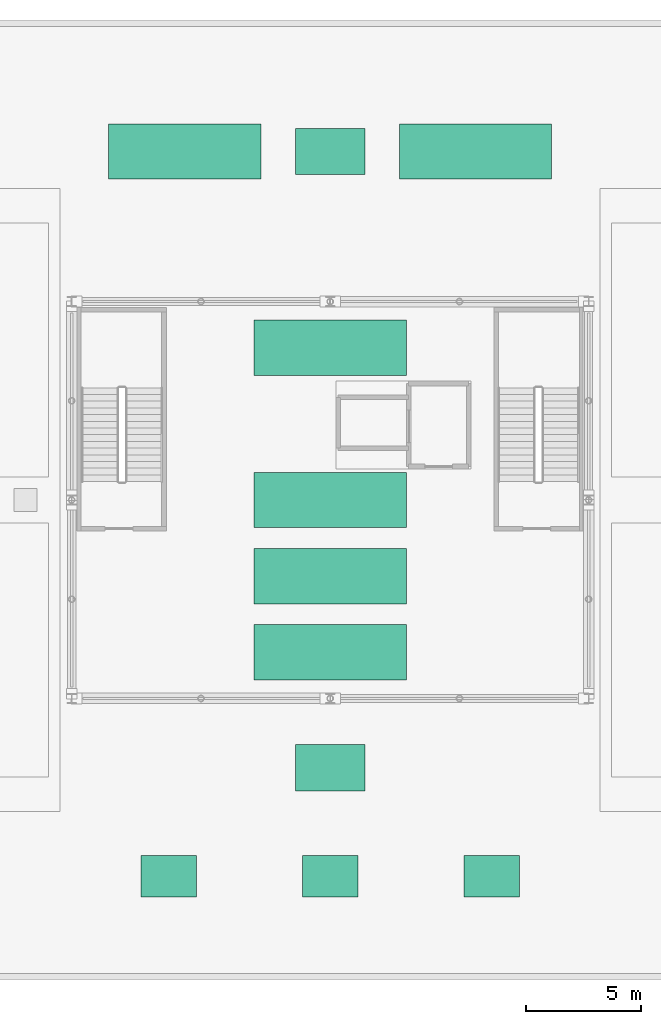
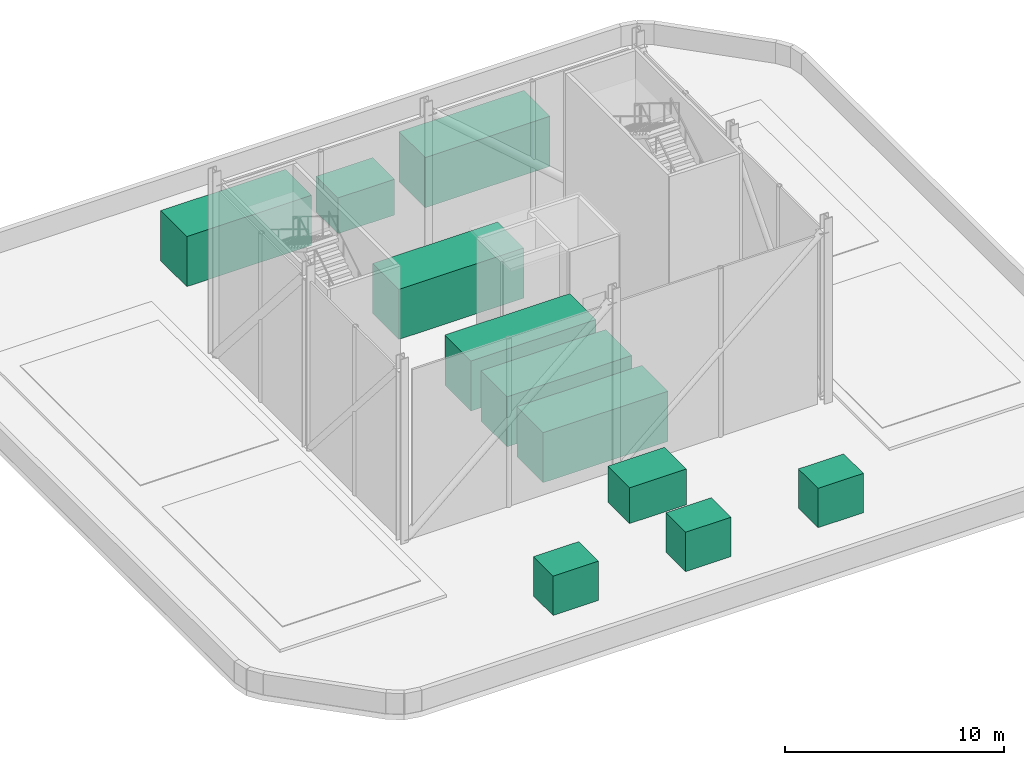
# One storey, part 6 of 6: 6 unitary equipment elements, 5 fans.
"""IFC4 building model written with IfcOpenShell, lengths in metres."""

from ifc_helpers import new_model, si_unit, derived_unit, direction, frame, origin, origin_2d, place, context, subcontext, project, spatial, rectangle, extrude, material, type_object, element, save


model = new_model("IFC4")

# Units and contexts
model_context = context("Model", 3, precision=1e-05, world=origin(), true_north=direction((0.0, 1.0)))
body_context = subcontext(model_context, "Body", "Model", "MODEL_VIEW")
ifc_project = project(units=[si_unit("LENGTHUNIT", "METRE"), si_unit("AREAUNIT", "SQUARE_METRE"), si_unit("VOLUMEUNIT", "CUBIC_METRE"), si_unit("PLANEANGLEUNIT", "RADIAN"), si_unit("MASSUNIT", "GRAM", prefix="KILO"), derived_unit("THERMALTRANSMITTANCEUNIT", [(si_unit("POWERUNIT", "WATT"), 1), (si_unit("LENGTHUNIT", "METRE"), -2), (si_unit("THERMODYNAMICTEMPERATUREUNIT", "KELVIN"), -1)])], contexts=[model_context])

# Site, building, storey
site_placement = place(None, origin())
site = spatial("IfcSite", under=ifc_project, at=site_placement, CompositionType="ELEMENT")
building_placement = place(site_placement, origin())
building = spatial("IfcBuilding", under=site, at=building_placement, Name="Koralith Skygarden Medical Center", CompositionType="ELEMENT")
storey_placement = place(building_placement, frame((0.0, 0.0, 298.97998046875)))
storey = spatial("IfcBuildingStorey", under=building, at=storey_placement, Name="RF", CompositionType="ELEMENT", Elevation=298.97998046875)

# Unitary equipment
ifc_material = material(Name="Aluminium 6063-T6", Category="aluminium")
unitary_equipment_type = type_object("IfcUnitaryEquipmentType", Name="Crown Air-Handling Unit AHU-R 6600", PredefinedType="AIRHANDLER", material=ifc_material)
for number, where, z_axis, x_axis, name in (
    (1, (37.0, 19.300048828125, 0.0), (0.0, 0.0, 1.0), (1.0, 0.0, 0.0), "RF Crown Air-Handling Unit AHU-R1"),
    (2, (37.0, 22.60009765625, 0.0), (0.0, 0.0, 1.0), (1.0, 0.0, 0.0), "RF Crown Air-Handling Unit AHU-R2"),
    (3, (37.0, 25.89990234375, 0.0), (0.0, 0.0, 1.0), (1.0, 0.0, 0.0), "RF Crown Air-Handling Unit AHU-R3"),
    (4, (37.0, 32.5, 0.0), (0.0, 0.0, 1.0), (1.0, 0.0, 0.0), "RF Crown Air-Handling Unit AHU-R5"),
    (5, (30.699951171875, 41.0, 0.0), (0.0, 0.0, 1.0), (1.0, 0.0, 0.0), "RF Crown Air-Handling Unit AHU-R6"),
    (6, (43.300048828125, 41.0, 0.0), (0.0, 0.0, 1.0), (1.0, 0.0, 0.0), "RF Crown Air-Handling Unit AHU-R7"),
):
    element("IfcUnitaryEquipment", number, at=place(storey_placement, frame(where, z_axis=z_axis, x_axis=x_axis)), inside=storey, type_object=unitary_equipment_type, Name=name, PredefinedType="AIRHANDLER", context=body_context, shape_type="SweptSolid", body=[
        extrude(rectangle(XDim=6.60009765625, YDim=2.39990234375, at=origin_2d()), origin(), (0.0, 0.0, 1.0), 2.800048828125),
    ])

# Fans
fan_type_1 = type_object("IfcFanType", Name="Roof Exhaust Fan EF 3000", PredefinedType="USERDEFINED", material=ifc_material)
for number, where, z_axis, x_axis, name in (
    (7, (37.0, 41.0, 0.0), (0.0, 0.0, 1.0), (1.0, 0.0, 0.0), "RF Roof Exhaust Fan EF-1"),
    (8, (37.0, 14.300048828125, 0.0), (0.0, 0.0, 1.0), (1.0, 0.0, 0.0), "RF Roof Exhaust Fan EF-2"),
):
    element("IfcFan", number, at=place(storey_placement, frame(where, z_axis=z_axis, x_axis=x_axis)), inside=storey, type_object=fan_type_1, Name=name, ObjectType="EXHAUST FAN", PredefinedType="USERDEFINED", context=body_context, shape_type="SweptSolid", body=[
        extrude(rectangle(XDim=3.0, YDim=2.0, at=origin_2d()), origin(), (0.0, 0.0, 1.0), 2.0),
    ])
fan_type_2 = type_object("IfcFanType", Name="Stair Pressurisation Fan SPF 2400", PredefinedType="USERDEFINED", material=ifc_material)
for number, where, z_axis, x_axis, name in (
    (9, (30.0, 9.60009765625, 0.0), (0.0, 0.0, 1.0), (1.0, 0.0, 0.0), "RF Stair Pressurisation Fan SPF-1"),
    (10, (37.0, 9.60009765625, 0.0), (0.0, 0.0, 1.0), (1.0, 0.0, 0.0), "RF Stair Pressurisation Fan SPF-2"),
    (11, (44.0, 9.60009765625, 0.0), (0.0, 0.0, 1.0), (1.0, 0.0, 0.0), "RF Stair Pressurisation Fan SPF-3"),
):
    element("IfcFan", number, at=place(storey_placement, frame(where, z_axis=z_axis, x_axis=x_axis)), inside=storey, type_object=fan_type_2, Name=name, ObjectType="STAIR PRESSURISATION FAN", PredefinedType="USERDEFINED", context=body_context, shape_type="SweptSolid", body=[
        extrude(rectangle(XDim=2.39990234375, YDim=1.800048828125, at=origin_2d()), origin(), (0.0, 0.0, 1.0), 2.199951171875),
    ])

save(model, "model.ifc")
